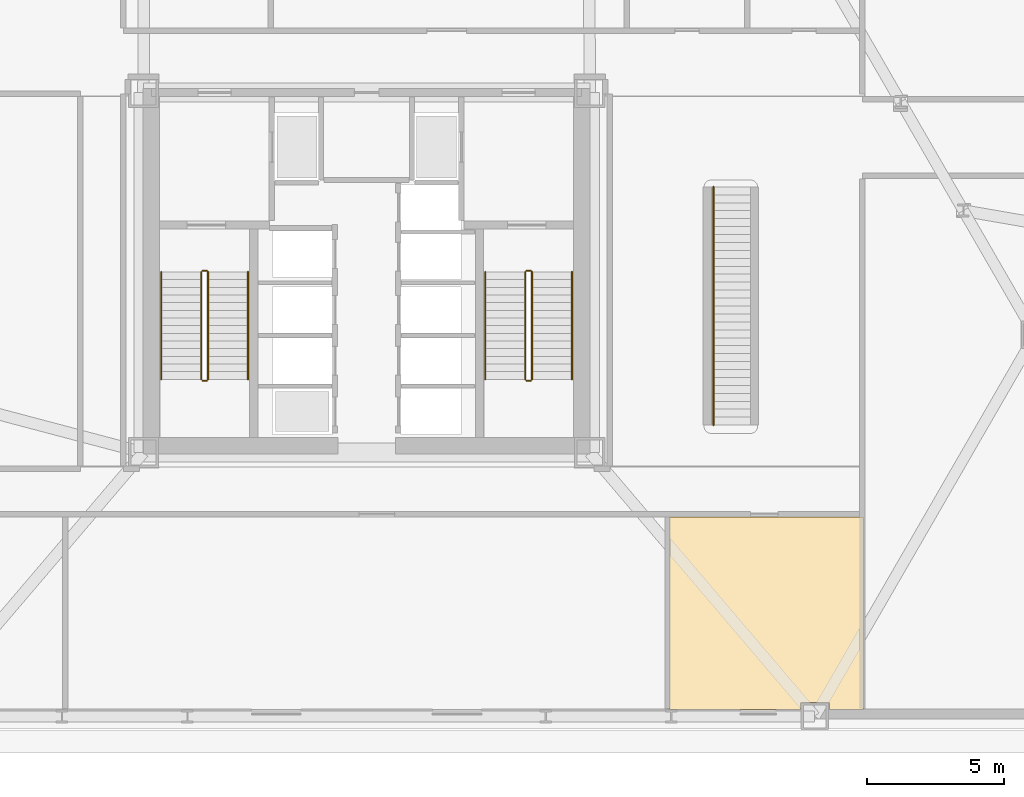
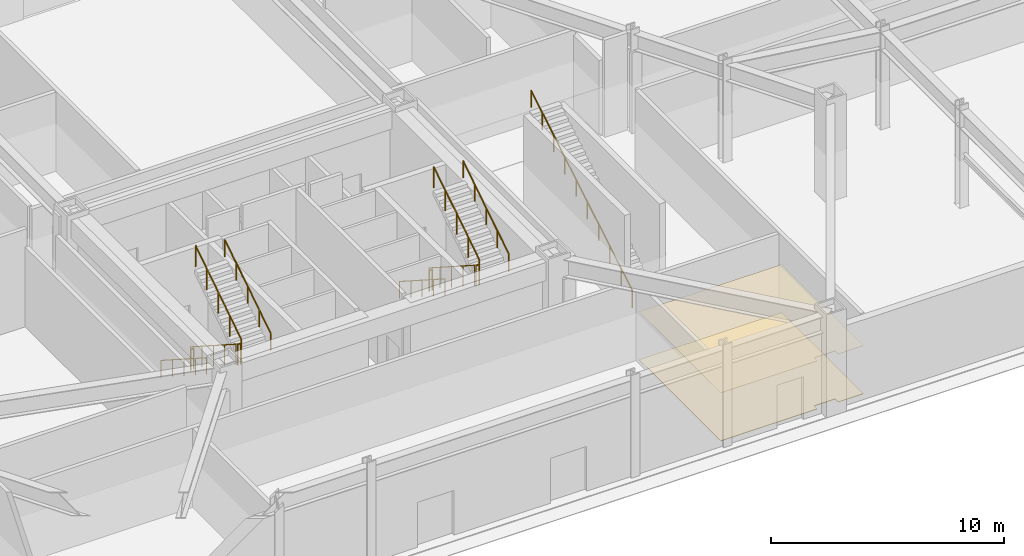
# One storey, part 10 of 12: 13 railings, 2 coverings.
"""IFC4 building model written with IfcOpenShell, lengths in metres."""

from ifc_helpers import new_model, si_unit, direction, frame, origin, origin_2d, place, context, subcontext, project, spatial, polyline, circle, outline, extrude, material, layer, layer_set, type_object, element, save


model = new_model("IFC4")

# Units and contexts
model_context = context("Model", 3, precision=1e-05, world=origin(), true_north=direction((0.0, 1.0)))
body_context = subcontext(model_context, "Body", "Model", "MODEL_VIEW")
ifc_project = project(units=[si_unit("LENGTHUNIT", "METRE"), si_unit("AREAUNIT", "SQUARE_METRE"), si_unit("VOLUMEUNIT", "CUBIC_METRE"), si_unit("PLANEANGLEUNIT", "RADIAN"), si_unit("MASSUNIT", "GRAM", prefix="KILO")], contexts=[model_context])

# Site, building, storey
site_placement = place(None, origin())
site = spatial("IfcSite", under=ifc_project, at=site_placement, CompositionType="ELEMENT")
building_placement = place(site_placement, origin())
building = spatial("IfcBuilding", under=site, at=building_placement, Name="Oramaril Tower", CompositionType="ELEMENT")
storey_placement = place(building_placement, origin())
storey = spatial("IfcBuildingStorey", under=building, at=storey_placement, Name="L00", CompositionType="ELEMENT", Elevation=0.0)

# Coverings
ifc_material_1 = material(Name="Mineral Fibre Acoustic Ceiling")
ifc_layer_1 = layer(ifc_material_1, 0.02001953125)
ifc_layer_set_1 = layer_set([ifc_layer_1], Name="CVT-CEIL")
covering_type_1 = type_object("IfcCoveringType", Name="CVT-CEIL", PredefinedType="CEILING", material=ifc_layer_set_1)
covering_1_placement = place(storey_placement, frame((0.0, 0.0, 2.52197265625)))
element("IfcCovering", 1, at=covering_1_placement, inside=storey, type_object=covering_type_1, Name="L00 Acoustic Suspended Ceiling 6", PredefinedType="CEILING", context=body_context, shape_type="SweptSolid", body=[
    extrude(outline(polyline([(55.64208984375, 1.617919921875), (54.382080078125, 1.617919921875), (54.382080078125, 1.8798828125), (53.342041015625, 1.8798828125), (53.342041015625, 1.617919921875), (48.56201171875, 1.617919921875), (48.56201171875, 8.64990234375), (55.64208984375, 8.64990234375), (55.64208984375, 1.617919921875)])), origin(), (0.0, 0.0, 1.0), 0.02001953125),
])
ifc_material_2 = material(Name="Honed Quartzite Stone Flooring", Category="masonry")
ifc_layer_2 = layer(ifc_material_2, 0.02490234375)
ifc_layer_set_2 = layer_set([ifc_layer_2], Name="CVT-FLR")
covering_type_2 = type_object("IfcCoveringType", Name="CVT-FLR", PredefinedType="FLOORING", material=ifc_layer_set_2)
covering_2_placement = place(storey_placement, origin())
element("IfcCovering", 2, at=covering_2_placement, inside=storey, type_object=covering_type_2, Name="L00 Honed Stone Floor Finish 6", PredefinedType="FLOORING", context=body_context, shape_type="SweptSolid", body=[
    extrude(outline(polyline([(55.64208984375, 1.617919921875), (54.382080078125, 1.617919921875), (54.382080078125, 1.8798828125), (53.342041015625, 1.8798828125), (53.342041015625, 1.617919921875), (48.56201171875, 1.617919921875), (48.56201171875, 8.64990234375), (55.64208984375, 8.64990234375), (55.64208984375, 1.617919921875)])), origin(), (0.0, 0.0, 1.0), 0.02490234375),
])

# Railings
ifc_material_3 = material(Name="Stainless Steel 316L", Category="steel")
railing_type_1 = type_object("IfcRailingType", Name="RLT-GRD", PredefinedType="GUARDRAIL", material=ifc_material_3)
railing_1_placement = place(storey_placement, frame((31.4599609375, 17.590087890625, 0.179931640625)))
element("IfcRailing", 3, at=railing_1_placement, inside=storey, type_object=railing_type_1, Name="L00 ST-1 stair guard 1", PredefinedType="GUARDRAIL", context=body_context, shape_type="SweptSolid", body=[
    extrude(circle(Radius=0.02392578125, at=origin_2d()), frame((0.0, 0.0, 1.076171875), z_axis=(0.0, -0.841186985886, 0.540744352514), x_axis=(1.0, 0.0, 0.0)), (0.0, 0.0, 1.0), 4.660400390625),
    extrude(circle(Radius=0.02099609375, at=origin_2d()), origin(), (0.0, 0.0, 1.0), 1.052001953125),
    extrude(circle(Radius=0.02099609375, at=origin_2d()), frame((0.0, -0.97998046875, 0.6298828125)), (0.0, 0.0, 1.0), 1.052001953125),
    extrude(circle(Radius=0.02099609375, at=origin_2d()), frame((0.0, -1.9599609375, 1.260009765625)), (0.0, 0.0, 1.0), 1.052001953125),
    extrude(circle(Radius=0.02099609375, at=origin_2d()), frame((0.0, -2.940185546875, 1.89013671875)), (0.0, 0.0, 1.0), 1.052001953125),
    extrude(circle(Radius=0.02099609375, at=origin_2d()), frame((0.0, -3.920166015625, 2.52001953125)), (0.0, 0.0, 1.0), 1.052001953125),
])
railing_2_placement = place(storey_placement, frame((31.510009765625, 13.6201171875, 2.699951171875)))
element("IfcRailing", 4, at=railing_2_placement, inside=storey, type_object=railing_type_1, Name="L00 ST-1 stair guard 2", PredefinedType="GUARDRAIL", context=body_context, shape_type="SweptSolid", body=[
    extrude(circle(Radius=0.02392578125, at=origin_2d()), frame((0.0, 0.0, 1.076171875), z_axis=(1.0, 0.0, 0.0), x_axis=(0.0, 1.0, 0.0)), (0.0, 0.0, 1.0), 0.14990234375),
    extrude(circle(Radius=0.02099609375, at=origin_2d()), origin(), (0.0, 0.0, 1.0), 1.052001953125),
    extrude(circle(Radius=0.02099609375, at=origin_2d()), frame((0.14990234375, 0.0, 0.0)), (0.0, 0.0, 1.0), 1.052001953125),
])
railing_3_placement = place(storey_placement, frame((31.7099609375, 13.669921875, 2.8798828125)))
element("IfcRailing", 5, at=railing_3_placement, inside=storey, type_object=railing_type_1, Name="L00 ST-1 stair guard 3", PredefinedType="GUARDRAIL", context=body_context, shape_type="SweptSolid", body=[
    extrude(circle(Radius=0.02392578125, at=origin_2d()), frame((0.0, 0.0, 1.076171875), z_axis=(0.0, 0.841186985886, 0.540744352514), x_axis=(-1.0, 0.0, 0.0)), (0.0, 0.0, 1.0), 4.660400390625),
    extrude(circle(Radius=0.02099609375, at=origin_2d()), origin(), (0.0, 0.0, 1.0), 1.052001953125),
    extrude(circle(Radius=0.02099609375, at=origin_2d()), frame((0.0, 0.97998046875, 0.6298828125)), (0.0, 0.0, 1.0), 1.052001953125),
    extrude(circle(Radius=0.02099609375, at=origin_2d()), frame((0.0, 1.9599609375, 1.260009765625)), (0.0, 0.0, 1.0), 1.052001953125),
    extrude(circle(Radius=0.02099609375, at=origin_2d()), frame((0.0, 2.940185546875, 1.89013671875)), (0.0, 0.0, 1.0), 1.052001953125),
    extrude(circle(Radius=0.02099609375, at=origin_2d()), frame((0.0, 3.920166015625, 2.52001953125)), (0.0, 0.0, 1.0), 1.052001953125),
])
railing_4_placement = place(storey_placement, frame((31.510009765625, 17.639892578125, 0.0)))
element("IfcRailing", 6, at=railing_4_placement, inside=storey, type_object=railing_type_1, Name="L00 ST-1 stair guard 4", PredefinedType="GUARDRAIL", context=body_context, shape_type="SweptSolid", body=[
    extrude(circle(Radius=0.02392578125, at=origin_2d()), frame((0.0, 0.0, 1.076171875), z_axis=(1.0, 0.0, 0.0), x_axis=(0.0, 1.0, 0.0)), (0.0, 0.0, 1.0), 0.14990234375),
    extrude(circle(Radius=0.02099609375, at=origin_2d()), origin(), (0.0, 0.0, 1.0), 1.052001953125),
    extrude(circle(Radius=0.02099609375, at=origin_2d()), frame((0.14990234375, 0.0, 0.0)), (0.0, 0.0, 1.0), 1.052001953125),
])
railing_5_placement = place(storey_placement, frame((43.2900390625, 17.590087890625, 0.179931640625)))
element("IfcRailing", 7, at=railing_5_placement, inside=storey, type_object=railing_type_1, Name="L00 ST-2 stair guard 1", PredefinedType="GUARDRAIL", context=body_context, shape_type="SweptSolid", body=[
    extrude(circle(Radius=0.02392578125, at=origin_2d()), frame((0.0, 0.0, 1.076171875), z_axis=(0.0, -0.841186985886, 0.540744352514), x_axis=(1.0, 0.0, 0.0)), (0.0, 0.0, 1.0), 4.660400390625),
    extrude(circle(Radius=0.02099609375, at=origin_2d()), origin(), (0.0, 0.0, 1.0), 1.052001953125),
    extrude(circle(Radius=0.02099609375, at=origin_2d()), frame((0.0, -0.97998046875, 0.6298828125)), (0.0, 0.0, 1.0), 1.052001953125),
    extrude(circle(Radius=0.02099609375, at=origin_2d()), frame((0.0, -1.9599609375, 1.260009765625)), (0.0, 0.0, 1.0), 1.052001953125),
    extrude(circle(Radius=0.02099609375, at=origin_2d()), frame((0.0, -2.940185546875, 1.89013671875)), (0.0, 0.0, 1.0), 1.052001953125),
    extrude(circle(Radius=0.02099609375, at=origin_2d()), frame((0.0, -3.920166015625, 2.52001953125)), (0.0, 0.0, 1.0), 1.052001953125),
])
railing_6_placement = place(storey_placement, frame((43.340087890625, 13.6201171875, 2.699951171875)))
element("IfcRailing", 8, at=railing_6_placement, inside=storey, type_object=railing_type_1, Name="L00 ST-2 stair guard 2", PredefinedType="GUARDRAIL", context=body_context, shape_type="SweptSolid", body=[
    extrude(circle(Radius=0.02392578125, at=origin_2d()), frame((0.0, 0.0, 1.076171875), z_axis=(1.0, 0.0, 0.0), x_axis=(0.0, 1.0, 0.0)), (0.0, 0.0, 1.0), 0.14990234375),
    extrude(circle(Radius=0.02099609375, at=origin_2d()), origin(), (0.0, 0.0, 1.0), 1.052001953125),
    extrude(circle(Radius=0.02099609375, at=origin_2d()), frame((0.14990234375, 0.0, 0.0)), (0.0, 0.0, 1.0), 1.052001953125),
])
railing_7_placement = place(storey_placement, frame((43.5400390625, 13.669921875, 2.8798828125)))
element("IfcRailing", 9, at=railing_7_placement, inside=storey, type_object=railing_type_1, Name="L00 ST-2 stair guard 3", PredefinedType="GUARDRAIL", context=body_context, shape_type="SweptSolid", body=[
    extrude(circle(Radius=0.02392578125, at=origin_2d()), frame((0.0, 0.0, 1.076171875), z_axis=(0.0, 0.841186985886, 0.540744352514), x_axis=(-1.0, 0.0, 0.0)), (0.0, 0.0, 1.0), 4.660400390625),
    extrude(circle(Radius=0.02099609375, at=origin_2d()), origin(), (0.0, 0.0, 1.0), 1.052001953125),
    extrude(circle(Radius=0.02099609375, at=origin_2d()), frame((0.0, 0.97998046875, 0.6298828125)), (0.0, 0.0, 1.0), 1.052001953125),
    extrude(circle(Radius=0.02099609375, at=origin_2d()), frame((0.0, 1.9599609375, 1.260009765625)), (0.0, 0.0, 1.0), 1.052001953125),
    extrude(circle(Radius=0.02099609375, at=origin_2d()), frame((0.0, 2.940185546875, 1.89013671875)), (0.0, 0.0, 1.0), 1.052001953125),
    extrude(circle(Radius=0.02099609375, at=origin_2d()), frame((0.0, 3.920166015625, 2.52001953125)), (0.0, 0.0, 1.0), 1.052001953125),
])
railing_8_placement = place(storey_placement, frame((43.340087890625, 17.639892578125, 0.0)))
element("IfcRailing", 10, at=railing_8_placement, inside=storey, type_object=railing_type_1, Name="L00 ST-2 stair guard 4", PredefinedType="GUARDRAIL", context=body_context, shape_type="SweptSolid", body=[
    extrude(circle(Radius=0.02392578125, at=origin_2d()), frame((0.0, 0.0, 1.076171875), z_axis=(1.0, 0.0, 0.0), x_axis=(0.0, 1.0, 0.0)), (0.0, 0.0, 1.0), 0.14990234375),
    extrude(circle(Radius=0.02099609375, at=origin_2d()), origin(), (0.0, 0.0, 1.0), 1.052001953125),
    extrude(circle(Radius=0.02099609375, at=origin_2d()), frame((0.14990234375, 0.0, 0.0)), (0.0, 0.0, 1.0), 1.052001953125),
])
ifc_material_4 = material(Name="Stainless Steel 316L", Category="steel")
railing_type_2 = type_object("IfcRailingType", Name="RLT-HND", PredefinedType="HANDRAIL", material=ifc_material_4)
railing_9_placement = place(storey_placement, frame((30.0, 17.590087890625, 0.179931640625)))
element("IfcRailing", 11, at=railing_9_placement, inside=storey, type_object=railing_type_2, Name="L00 ST-1 stair handrail 1", PredefinedType="HANDRAIL", context=body_context, shape_type="SweptSolid", body=[
    extrude(circle(Radius=0.02392578125, at=origin_2d()), frame((0.0, 0.0, 0.8759765625), z_axis=(0.0, -0.841186985886, 0.540744352514), x_axis=(1.0, 0.0, 0.0)), (0.0, 0.0, 1.0), 4.660400390625),
    extrude(circle(Radius=0.02099609375, at=origin_2d()), origin(), (0.0, 0.0, 1.0), 0.851806640625),
    extrude(circle(Radius=0.02099609375, at=origin_2d()), frame((0.0, -0.97998046875, 0.6298828125)), (0.0, 0.0, 1.0), 0.851806640625),
    extrude(circle(Radius=0.02099609375, at=origin_2d()), frame((0.0, -1.9599609375, 1.260009765625)), (0.0, 0.0, 1.0), 0.851806640625),
    extrude(circle(Radius=0.02099609375, at=origin_2d()), frame((0.0, -2.940185546875, 1.89013671875)), (0.0, 0.0, 1.0), 0.851806640625),
    extrude(circle(Radius=0.02099609375, at=origin_2d()), frame((0.0, -3.920166015625, 2.52001953125)), (0.0, 0.0, 1.0), 0.851806640625),
])
railing_10_placement = place(storey_placement, frame((33.169921875, 13.669921875, 2.8798828125)))
element("IfcRailing", 12, at=railing_10_placement, inside=storey, type_object=railing_type_2, Name="L00 ST-1 stair handrail 2", PredefinedType="HANDRAIL", context=body_context, shape_type="SweptSolid", body=[
    extrude(circle(Radius=0.02392578125, at=origin_2d()), frame((0.0, 0.0, 0.8759765625), z_axis=(0.0, 0.841186985886, 0.540744352514), x_axis=(-1.0, 0.0, 0.0)), (0.0, 0.0, 1.0), 4.660400390625),
    extrude(circle(Radius=0.02099609375, at=origin_2d()), origin(), (0.0, 0.0, 1.0), 0.851806640625),
    extrude(circle(Radius=0.02099609375, at=origin_2d()), frame((0.0, 0.97998046875, 0.6298828125)), (0.0, 0.0, 1.0), 0.851806640625),
    extrude(circle(Radius=0.02099609375, at=origin_2d()), frame((0.0, 1.9599609375, 1.260009765625)), (0.0, 0.0, 1.0), 0.851806640625),
    extrude(circle(Radius=0.02099609375, at=origin_2d()), frame((0.0, 2.940185546875, 1.89013671875)), (0.0, 0.0, 1.0), 0.851806640625),
    extrude(circle(Radius=0.02099609375, at=origin_2d()), frame((0.0, 3.920166015625, 2.52001953125)), (0.0, 0.0, 1.0), 0.851806640625),
])
railing_11_placement = place(storey_placement, frame((41.830078125, 17.590087890625, 0.179931640625)))
element("IfcRailing", 13, at=railing_11_placement, inside=storey, type_object=railing_type_2, Name="L00 ST-2 stair handrail 1", PredefinedType="HANDRAIL", context=body_context, shape_type="SweptSolid", body=[
    extrude(circle(Radius=0.02392578125, at=origin_2d()), frame((0.0, 0.0, 0.8759765625), z_axis=(0.0, -0.841186985886, 0.540744352514), x_axis=(1.0, 0.0, 0.0)), (0.0, 0.0, 1.0), 4.660400390625),
    extrude(circle(Radius=0.02099609375, at=origin_2d()), origin(), (0.0, 0.0, 1.0), 0.851806640625),
    extrude(circle(Radius=0.02099609375, at=origin_2d()), frame((0.0, -0.97998046875, 0.6298828125)), (0.0, 0.0, 1.0), 0.851806640625),
    extrude(circle(Radius=0.02099609375, at=origin_2d()), frame((0.0, -1.9599609375, 1.260009765625)), (0.0, 0.0, 1.0), 0.851806640625),
    extrude(circle(Radius=0.02099609375, at=origin_2d()), frame((0.0, -2.940185546875, 1.89013671875)), (0.0, 0.0, 1.0), 0.851806640625),
    extrude(circle(Radius=0.02099609375, at=origin_2d()), frame((0.0, -3.920166015625, 2.52001953125)), (0.0, 0.0, 1.0), 0.851806640625),
])
railing_12_placement = place(storey_placement, frame((45.0, 13.669921875, 2.8798828125)))
element("IfcRailing", 14, at=railing_12_placement, inside=storey, type_object=railing_type_2, Name="L00 ST-2 stair handrail 2", PredefinedType="HANDRAIL", context=body_context, shape_type="SweptSolid", body=[
    extrude(circle(Radius=0.02392578125, at=origin_2d()), frame((0.0, 0.0, 0.8759765625), z_axis=(0.0, 0.841186985886, 0.540744352514), x_axis=(-1.0, 0.0, 0.0)), (0.0, 0.0, 1.0), 4.660400390625),
    extrude(circle(Radius=0.02099609375, at=origin_2d()), origin(), (0.0, 0.0, 1.0), 0.851806640625),
    extrude(circle(Radius=0.02099609375, at=origin_2d()), frame((0.0, 0.97998046875, 0.6298828125)), (0.0, 0.0, 1.0), 0.851806640625),
    extrude(circle(Radius=0.02099609375, at=origin_2d()), frame((0.0, 1.9599609375, 1.260009765625)), (0.0, 0.0, 1.0), 0.851806640625),
    extrude(circle(Radius=0.02099609375, at=origin_2d()), frame((0.0, 2.940185546875, 1.89013671875)), (0.0, 0.0, 1.0), 0.851806640625),
    extrude(circle(Radius=0.02099609375, at=origin_2d()), frame((0.0, 3.920166015625, 2.52001953125)), (0.0, 0.0, 1.0), 0.851806640625),
])
railing_13_placement = place(storey_placement, frame((50.1650390625, 12.0, 0.17431640625)))
element("IfcRailing", 15, at=railing_13_placement, inside=storey, type_object=railing_type_2, Name="L00 ST-4A Pitch Handrail", PredefinedType="HANDRAIL", context=body_context, shape_type="SweptSolid", body=[
    extrude(circle(Radius=0.02392578125, at=origin_2d()), frame((0.0, 0.0, 0.8759765625), z_axis=(0.0, 0.857248727805, 0.514902533182), x_axis=(-1.0, 0.0, 0.0)), (0.0, 0.0, 1.0), 10.148681640625),
    extrude(circle(Radius=0.02099609375, at=origin_2d()), origin(), (0.0, 0.0, 1.0), 0.851806640625),
    extrude(circle(Radius=0.02099609375, at=origin_2d()), frame((0.0, 0.966552734375, 0.58056640625)), (0.0, 0.0, 1.0), 0.851806640625),
    extrude(circle(Radius=0.02099609375, at=origin_2d()), frame((0.0, 1.933349609375, 1.1611328125)), (0.0, 0.0, 1.0), 0.851806640625),
    extrude(circle(Radius=0.02099609375, at=origin_2d()), frame((0.0, 2.89990234375, 1.741943359375)), (0.0, 0.0, 1.0), 0.851806640625),
    extrude(circle(Radius=0.02099609375, at=origin_2d()), frame((0.0, 3.86669921875, 2.322509765625)), (0.0, 0.0, 1.0), 0.851806640625),
    extrude(circle(Radius=0.02099609375, at=origin_2d()), frame((0.0, 4.833251953125, 2.903076171875)), (0.0, 0.0, 1.0), 0.851806640625),
    extrude(circle(Radius=0.02099609375, at=origin_2d()), frame((0.0, 5.800048828125, 3.483642578125)), (0.0, 0.0, 1.0), 0.851806640625),
    extrude(circle(Radius=0.02099609375, at=origin_2d()), frame((0.0, 6.7666015625, 4.064453125)), (0.0, 0.0, 1.0), 0.851806640625),
    extrude(circle(Radius=0.02099609375, at=origin_2d()), frame((0.0, 7.7333984375, 4.64501953125)), (0.0, 0.0, 1.0), 0.851806640625),
    extrude(circle(Radius=0.02099609375, at=origin_2d()), frame((0.0, 8.699951171875, 5.2255859375)), (0.0, 0.0, 1.0), 0.851806640625),
])

save(model, "model.ifc")
